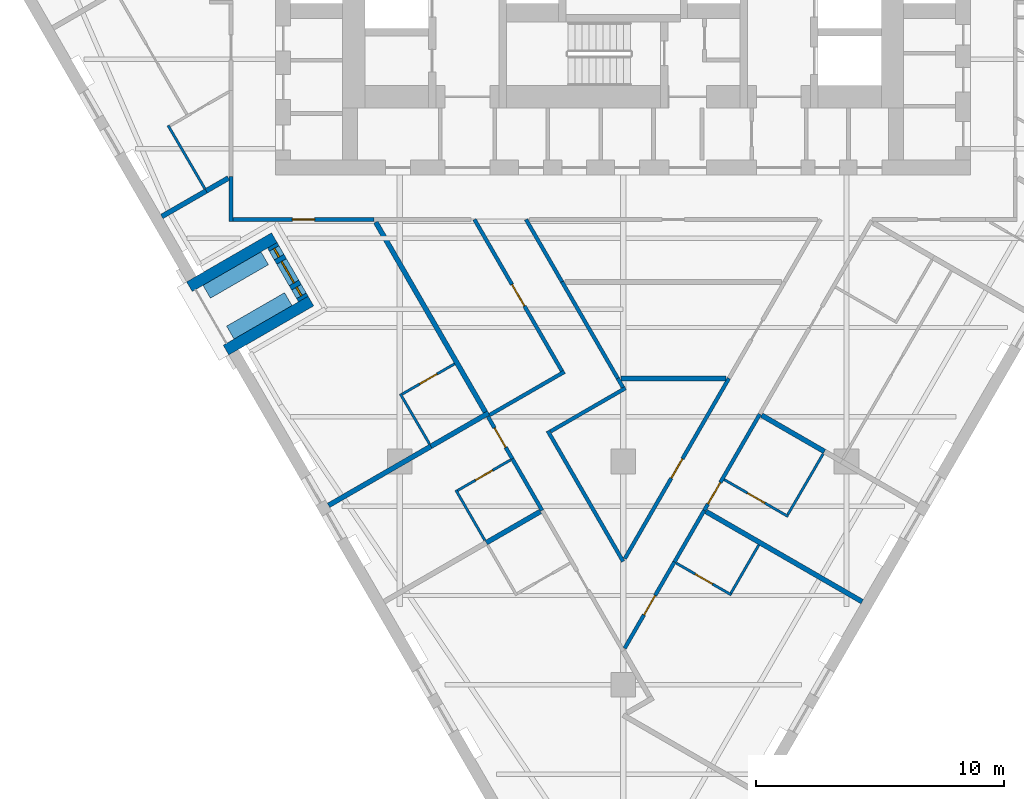
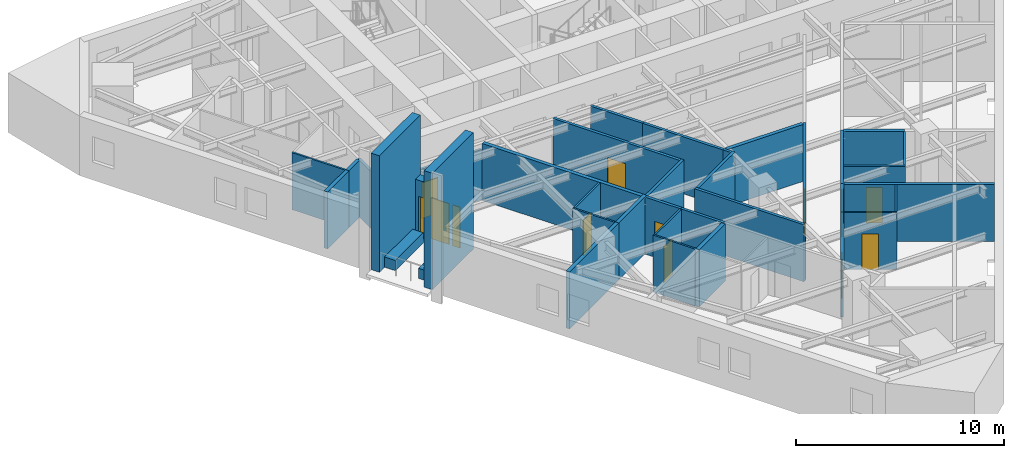
# One storey, part 3 of 9: 38 walls, 11 doors, 2 windows, 13 openings.
"""IFC4 building model written with IfcOpenShell, lengths in metres."""

from ifc_helpers import new_model, si_unit, direction, frame, frame_2d, origin, place, context, subcontext, project, spatial, rectangle, extrude, material, layer, layer_set, type_object, element, fill, save


model = new_model("IFC4")

# Units and contexts
model_context = context("Model", 3, precision=1e-05, world=origin(), true_north=direction((0.0, 1.0)))
body_context = subcontext(model_context, "Body", "Model", "MODEL_VIEW")
ifc_project = project(units=[si_unit("LENGTHUNIT", "METRE"), si_unit("AREAUNIT", "SQUARE_METRE"), si_unit("VOLUMEUNIT", "CUBIC_METRE"), si_unit("PLANEANGLEUNIT", "RADIAN"), si_unit("MASSUNIT", "GRAM", prefix="KILO")], contexts=[model_context])

# Site, building, storey
site_placement = place(None, origin())
site = spatial("IfcSite", under=ifc_project, at=site_placement, CompositionType="ELEMENT")
building_placement = place(site_placement, origin())
building = spatial("IfcBuilding", under=site, at=building_placement, Name="Aloe Facet Convention Tower", CompositionType="ELEMENT")
storey_placement = place(building_placement, frame((0.0, 0.0, 52.5)))
storey = spatial("IfcBuildingStorey", under=building, at=storey_placement, Name="L11", CompositionType="ELEMENT", Elevation=52.5)

# Walls
ifc_material_1 = material(Name="Precast concrete C40/50", Category="concrete")
ifc_layer_1 = layer(ifc_material_1, 0.60009765625)
ifc_layer_set_1 = layer_set([ifc_layer_1], Name="EV-PLANTER")
wall_type_1 = type_object("IfcWallType", Name="EV-PLANTER", PredefinedType="STANDARD", material=ifc_layer_set_1)
for number, where, z_axis, x_axis, name in (
    (1, (63.218017578125, 114.837890625, 0.0), (0.0, 0.0, 1.0), (0.866059108428, 0.4999416173, 0.0), "PLANTER T02-1"),
    (2, (64.16796875, 113.1923828125, 0.0), (0.0, 0.0, 1.0), (0.866059108428, 0.4999416173, 0.0), "PLANTER T02-2"),
):
    element("IfcWall", number, at=place(storey_placement, frame(where, z_axis=z_axis, x_axis=x_axis)), inside=storey, type_object=wall_type_1, Name=name, PredefinedType="STANDARD", context=body_context, shape_type="SweptSolid", body=[
        extrude(rectangle(XDim=2.699951171875, YDim=0.60009765625, at=frame_2d((1.35009765625, 0.0))), origin(), (0.0, 0.0, 1.0), 0.60009765625),
    ])
ifc_material_2 = material(Name="Precast concrete C40/50", Category="concrete")
ifc_layer_2 = layer(ifc_material_2, 0.449951171875)
ifc_layer_set_2 = layer_set([ifc_layer_2], Name="EV-WALL-STONE")
wall_type_2 = type_object("IfcWallType", Name="EV-WALL-STONE", PredefinedType="SOLIDWALL", material=ifc_layer_set_2)
for number, where, z_axis, x_axis, name in (
    (3, (62.5224609375, 115.04248046875, 0.0), (0.0, 0.0, 1.0), (0.866047669374, 0.499961432884, 0.0), "TW-T02-1"),
    (4, (63.99755859375, 112.487548828125, 0.0), (0.0, 0.0, 1.0), (0.866005453737, 0.500034552904, 0.0), "TW-T02-2"),
):
    element("IfcWall", number, at=place(storey_placement, frame(where, z_axis=z_axis, x_axis=x_axis)), inside=storey, type_object=wall_type_2, Name=name, PredefinedType="SOLIDWALL", context=body_context, shape_type="SweptSolid", body=[
        extrude(rectangle(XDim=3.949951171875, YDim=0.449951171875, at=frame_2d((1.97509765625, 0.0))), origin(), (0.0, 0.0, 1.0), 6.85009765625),
    ])

# Wall, openings, door, windows
wall_1_placement = place(storey_placement, frame((65.86083984375, 116.710205078125, -0.14990234375), z_axis=(0.0, 0.0, 1.0), x_axis=(0.499961950354, -0.866047370643, 0.0)))
wall_1 = element("IfcWall", 5, at=wall_1_placement, inside=storey, type_object=wall_type_2, Name="TB-T02-L11", PredefinedType="SOLIDWALL", context=body_context, shape_type="SweptSolid", body=[
    extrude(rectangle(XDim=2.500244140625, YDim=0.449951171875, at=frame_2d((1.25, 0.0))), origin(), (0.0, 0.0, 1.0), 3.5),
])
opening_1_placement = place(wall_1_placement, frame((0.75, 0.0, 0.14990234375)))
opening_1 = element("IfcOpeningElement", 6, at=opening_1_placement, cuts=wall_1, Name="Opening D-T02", PredefinedType="OPENING", context=body_context, shape_type="SweptSolid", body=[
    extrude(rectangle(XDim=1.0, YDim=2.39990234375, at=frame_2d((0.5, 1.199951171875))), frame((0.0, 0.23486328125, 0.0), z_axis=(0.0, -1.0, 0.0), x_axis=(1.0, 0.0, 0.0)), (0.0, 0.0, 1.0), 0.469970703125),
])
opening_2_placement = place(wall_1_placement, frame((0.14990234375, 0.0, 0.14990234375)))
opening_2 = element("IfcOpeningElement", 7, at=opening_2_placement, cuts=wall_1, Name="Opening G-T02-1", PredefinedType="OPENING", context=body_context, shape_type="SweptSolid", body=[
    extrude(rectangle(XDim=0.39990234375, YDim=2.39990234375, at=frame_2d((0.199951171875, 1.199951171875))), frame((0.0, 0.23486328125, 0.0), z_axis=(0.0, -1.0, 0.0), x_axis=(1.0, 0.0, 0.0)), (0.0, 0.0, 1.0), 0.469970703125),
])
opening_3_placement = place(wall_1_placement, frame((1.949951171875, 0.0, 0.14990234375)))
opening_3 = element("IfcOpeningElement", 8, at=opening_3_placement, cuts=wall_1, Name="Opening G-T02-2", PredefinedType="OPENING", context=body_context, shape_type="SweptSolid", body=[
    extrude(rectangle(XDim=0.39990234375, YDim=2.39990234375, at=frame_2d((0.199951171875, 1.199951171875))), frame((0.0, 0.23486328125, 0.0), z_axis=(0.0, -1.0, 0.0), x_axis=(1.0, 0.0, 0.0)), (0.0, 0.0, 1.0), 0.469970703125),
])
ifc_material_3 = material(Name="Aluminium frame, clear double glazing", Category="aluminium")
door_type_1 = type_object("IfcDoorType", Name="EV-DOOR-TERR", OperationType="SINGLE_SWING_LEFT", PredefinedType="DOOR", material=ifc_material_3)
door_1_placement = place(opening_1_placement, origin())
door_1 = element("IfcDoor", 9, at=door_1_placement, inside=storey, type_object=door_type_1, Name="D-T02", OperationType="SINGLE_SWING_LEFT", OverallHeight=2.39990234375, OverallWidth=1.0, PredefinedType="DOOR", context=body_context, shape_type="SweptSolid", body=[
    extrude(rectangle(XDim=1.0, YDim=2.39990234375, at=frame_2d((0.5, 1.199951171875))), frame((0.0, 0.02490234375, 0.0), z_axis=(0.0, -1.0, 0.0), x_axis=(1.0, 0.0, 0.0)), (0.0, 0.0, 1.0), 0.050048828125),
])
fill(opening_1, door_1)
ifc_material_4 = material(Name="Aluminium frame, clear double glazing", Category="aluminium")
window_type = type_object("IfcWindowType", Name="EV-WIN-SL40", PartitioningType="SINGLE_PANEL", PredefinedType="WINDOW", material=ifc_material_4)
window_1_placement = place(opening_2_placement, origin())
window_1 = element("IfcWindow", 10, at=window_1_placement, inside=storey, type_object=window_type, Name="G-T02-1", OverallHeight=2.39990234375, OverallWidth=0.39990234375, PartitioningType="SINGLE_PANEL", PredefinedType="WINDOW", context=body_context, shape_type="SweptSolid", body=[
    extrude(rectangle(XDim=0.39990234375, YDim=2.39990234375, at=frame_2d((0.199951171875, 1.199951171875))), frame((0.0, 0.030029296875, 0.0), z_axis=(0.0, -1.0, 0.0), x_axis=(1.0, 0.0, 0.0)), (0.0, 0.0, 1.0), 0.06005859375),
])
fill(opening_2, window_1)
window_2_placement = place(opening_3_placement, origin())
window_2 = element("IfcWindow", 11, at=window_2_placement, inside=storey, type_object=window_type, Name="G-T02-2", OverallHeight=2.39990234375, OverallWidth=0.39990234375, PartitioningType="SINGLE_PANEL", PredefinedType="WINDOW", context=body_context, shape_type="SweptSolid", body=[
    extrude(rectangle(XDim=0.39990234375, YDim=2.39990234375, at=frame_2d((0.199951171875, 1.199951171875))), frame((0.0, 0.030029296875, 0.0), z_axis=(0.0, -1.0, 0.0), x_axis=(1.0, 0.0, 0.0)), (0.0, 0.0, 1.0), 0.06005859375),
])
fill(opening_3, window_2)

# Wall
ifc_material_5 = material(Name="Gypsum board partition on steel studs", Category="steel")
ifc_layer_3 = layer(ifc_material_5, 0.14990234375)
ifc_layer_set_3 = layer_set([ifc_layer_3], Name="IN-W-CORR")
wall_type_3 = type_object("IfcWallType", Name="IN-W-CORR", PredefinedType="PARTITIONING", material=ifc_layer_set_3)
wall_2_placement = place(storey_placement, frame((82.06494140625, 103.947265625, 0.0), z_axis=(0.0, 0.0, 1.0), x_axis=(0.500001309137, 0.866024647952, 0.0)))
element("IfcWall", 12, at=wall_2_placement, inside=storey, type_object=wall_type_3, Name="Partition L11-W010", PredefinedType="PARTITIONING", context=body_context, shape_type="SweptSolid", body=[
    extrude(rectangle(XDim=2.39990234375, YDim=0.14990234375, at=frame_2d((1.199951171875, 0.0))), origin(), (0.0, 0.0, 1.0), 3.35009765625),
])

# Wall, opening, door
wall_3_placement = place(storey_placement, frame((80.06005859375, 100.474365234375, 0.0), z_axis=(0.0, 0.0, 1.0), x_axis=(0.499963124258, 0.866046692957, 0.0)))
wall_3 = element("IfcWall", 13, at=wall_3_placement, inside=storey, type_object=wall_type_3, Name="Partition L11-W011", PredefinedType="PARTITIONING", context=body_context, shape_type="SweptSolid", body=[
    extrude(rectangle(XDim=4.010009765625, YDim=0.14990234375, at=frame_2d((2.0048828125, 0.0))), origin(), (0.0, 0.0, 1.0), 3.35009765625),
])
opening_4_placement = place(wall_3_placement, frame((1.554931640625, 0.0, 0.0)))
opening_4 = element("IfcOpeningElement", 14, at=opening_4_placement, cuts=wall_3, Name="Opening L11-006", PredefinedType="OPENING", context=body_context, shape_type="SweptSolid", body=[
    extrude(rectangle(XDim=0.89990234375, YDim=2.10009765625, at=frame_2d((0.449951171875, 1.050048828125))), frame((0.0, 0.0849609375, 0.0), z_axis=(0.0, -1.0, 0.0), x_axis=(1.0, 0.0, 0.0)), (0.0, 0.0, 1.0), 0.169921875),
])
ifc_material_6 = material(Name="Hardwood flush door FD30S", Category="wood")
door_type_2 = type_object("IfcDoorType", Name="IN-D-GUEST", OperationType="SINGLE_SWING_LEFT", PredefinedType="DOOR", material=ifc_material_6)
door_2_placement = place(opening_4_placement, origin())
door_2 = element("IfcDoor", 15, at=door_2_placement, inside=storey, type_object=door_type_2, Name="Door L11-006", OperationType="SINGLE_SWING_LEFT", OverallHeight=2.10009765625, OverallWidth=0.89990234375, PredefinedType="DOOR", context=body_context, shape_type="SweptSolid", body=[
    extrude(rectangle(XDim=0.89990234375, YDim=2.10009765625, at=frame_2d((0.449951171875, 1.050048828125))), frame((0.0, 0.02490234375, 0.0), z_axis=(0.0, -1.0, 0.0), x_axis=(1.0, 0.0, 0.0)), (0.0, 0.0, 1.0), 0.050048828125),
])
fill(opening_4, door_2)

wall_4_placement = place(storey_placement, frame((74.547607421875, 109.814453125, 0.0), z_axis=(0.0, 0.0, 1.0), x_axis=(0.499968599967, -0.866043531843, 0.0)))
wall_4 = element("IfcWall", 16, at=wall_4_placement, inside=storey, type_object=wall_type_3, Name="Partition L11-W026", PredefinedType="PARTITIONING", context=body_context, shape_type="SweptSolid", body=[
    extrude(rectangle(XDim=1.974853515625, YDim=0.14990234375, at=frame_2d((0.9873046875, 0.0))), origin(), (0.0, 0.0, 1.0), 3.35009765625),
])
opening_5_placement = place(wall_4_placement, frame((0.53759765625, 0.0, 0.0)))
opening_5 = element("IfcOpeningElement", 17, at=opening_5_placement, cuts=wall_4, Name="Opening L11-004", PredefinedType="OPENING", context=body_context, shape_type="SweptSolid", body=[
    extrude(rectangle(XDim=0.89990234375, YDim=2.10009765625, at=frame_2d((0.449951171875, 1.050048828125))), frame((0.0, 0.0849609375, 0.0), z_axis=(0.0, -1.0, 0.0), x_axis=(1.0, 0.0, 0.0)), (0.0, 0.0, 1.0), 0.169921875),
])
door_3_placement = place(opening_5_placement, origin())
door_3 = element("IfcDoor", 18, at=door_3_placement, inside=storey, type_object=door_type_2, Name="Door L11-004", OperationType="SINGLE_SWING_LEFT", OverallHeight=2.10009765625, OverallWidth=0.89990234375, PredefinedType="DOOR", context=body_context, shape_type="SweptSolid", body=[
    extrude(rectangle(XDim=0.89990234375, YDim=2.10009765625, at=frame_2d((0.449951171875, 1.050048828125))), frame((0.0, 0.02490234375, 0.0), z_axis=(0.0, -1.0, 0.0), x_axis=(1.0, 0.0, 0.0)), (0.0, 0.0, 1.0), 0.050048828125),
])
fill(opening_5, door_3)

# Walls
wall_5_placement = place(storey_placement, frame((75.534912109375, 108.104248046875, 0.0), z_axis=(0.0, 0.0, 1.0), x_axis=(0.500033551112, -0.866006032174, 0.0)))
element("IfcWall", 19, at=wall_5_placement, inside=storey, type_object=wall_type_3, Name="Partition L11-W027", PredefinedType="PARTITIONING", context=body_context, shape_type="SweptSolid", body=[
    extrude(rectangle(XDim=2.400146484375, YDim=0.14990234375, at=frame_2d((1.2001953125, 0.0))), origin(), (0.0, 0.0, 1.0), 3.35009765625),
])
wall_6_placement = place(storey_placement, frame((76.96142578125, 109.233642578125, 0.0), z_axis=(0.0, 0.0, 1.0), x_axis=(0.499984420002, -0.866034398714, 0.0)))
element("IfcWall", 20, at=wall_6_placement, inside=storey, type_object=wall_type_3, Name="Partition L11-W031", PredefinedType="PARTITIONING", context=body_context, shape_type="SweptSolid", body=[
    extrude(rectangle(XDim=6.077392578125, YDim=0.14990234375, at=frame_2d((3.03857421875, 0.0))), origin(), (0.0, 0.0, 1.0), 3.35009765625),
])
wall_7_placement = place(storey_placement, frame((74.613525390625, 109.8701171875, 0.0), z_axis=(0.0, 0.0, 1.0), x_axis=(0.866043466982, 0.49996871232, 0.0)))
element("IfcWall", 21, at=wall_7_placement, inside=storey, type_object=wall_type_3, Name="Partition L11-W033", PredefinedType="PARTITIONING", context=body_context, shape_type="SweptSolid", body=[
    extrude(rectangle(XDim=3.489990234375, YDim=0.14990234375, at=frame_2d((1.7451171875, 0.0))), origin(), (0.0, 0.0, 1.0), 3.35009765625),
])

# Wall, opening, door
wall_8_placement = place(storey_placement, frame((83.264892578125, 106.025634765625, 0.0), z_axis=(0.0, 0.0, 1.0), x_axis=(0.499989762656, 0.866031314237, 0.0)))
wall_8 = element("IfcWall", 22, at=wall_8_placement, inside=storey, type_object=wall_type_3, Name="Partition L11-W036", PredefinedType="PARTITIONING", context=body_context, shape_type="SweptSolid", body=[
    extrude(rectangle(XDim=4.47998046875, YDim=0.14990234375, at=frame_2d((2.239990234375, 0.0))), origin(), (0.0, 0.0, 1.0), 3.35009765625),
])
opening_6_placement = place(wall_8_placement, frame((0.300048828125, 0.0, 0.0)))
opening_6 = element("IfcOpeningElement", 23, at=opening_6_placement, cuts=wall_8, Name="Opening L11-007", PredefinedType="OPENING", context=body_context, shape_type="SweptSolid", body=[
    extrude(rectangle(XDim=1.0, YDim=2.10009765625, at=frame_2d((0.5, 1.050048828125))), frame((0.0, 0.0849609375, 0.0), z_axis=(0.0, -1.0, 0.0), x_axis=(1.0, 0.0, 0.0)), (0.0, 0.0, 1.0), 0.169921875),
])
ifc_material_7 = material(Name="Hardwood flush door FD30S", Category="wood")
door_type_3 = type_object("IfcDoorType", Name="IN-D-WIDE", OperationType="SINGLE_SWING_LEFT", PredefinedType="DOOR", material=ifc_material_7)
door_4_placement = place(opening_6_placement, origin())
door_4 = element("IfcDoor", 24, at=door_4_placement, inside=storey, type_object=door_type_3, Name="Door L11-007", OperationType="SINGLE_SWING_LEFT", OverallHeight=2.10009765625, OverallWidth=1.0, PredefinedType="DOOR", context=body_context, shape_type="SweptSolid", body=[
    extrude(rectangle(XDim=1.0, YDim=2.10009765625, at=frame_2d((0.5, 1.050048828125))), frame((0.0, 0.02490234375, 0.0), z_axis=(0.0, -1.0, 0.0), x_axis=(1.0, 0.0, 0.0)), (0.0, 0.0, 1.0), 0.050048828125),
])
fill(opening_6, door_4)

# Walls
wall_9_placement = place(storey_placement, frame((77.072509765625, 109.211181640625, 0.0), z_axis=(0.0, 0.0, 1.0), x_axis=(0.866013176292, 0.50002117804, 0.0)))
element("IfcWall", 25, at=wall_9_placement, inside=storey, type_object=wall_type_3, Name="Partition L11-W039", PredefinedType="PARTITIONING", context=body_context, shape_type="SweptSolid", body=[
    extrude(rectangle(XDim=3.489990234375, YDim=0.14990234375, at=frame_2d((1.7451171875, 0.0))), origin(), (0.0, 0.0, 1.0), 3.35009765625),
])
wall_10_placement = place(storey_placement, frame((79.781005859375, 111.35009765625, 0.0), z_axis=(0.0, 0.0, 1.0), x_axis=(0.499739105689, -0.866175978797, 0.0)))
element("IfcWall", 26, at=wall_10_placement, inside=storey, type_object=wall_type_3, Name="Partition L11-W040", PredefinedType="PARTITIONING", context=body_context, shape_type="SweptSolid", body=[
    extrude(rectangle(XDim=0.423095703125, YDim=0.14990234375, at=frame_2d((0.21142578125, 0.0))), origin(), (0.0, 0.0, 1.0), 3.35009765625),
])

# Wall, opening, door
wall_11_placement = place(storey_placement, frame((80.06494140625, 104.0830078125, 0.0), z_axis=(0.0, 0.0, 1.0), x_axis=(0.49999109456, 0.866030545282, 0.0)))
wall_11 = element("IfcWall", 27, at=wall_11_placement, inside=storey, type_object=wall_type_3, Name="Partition L11-W041", PredefinedType="PARTITIONING", context=body_context, shape_type="SweptSolid", body=[
    extrude(rectangle(XDim=8.391357421875, YDim=0.14990234375, at=frame_2d((4.19580078125, 0.0))), origin(), (0.0, 0.0, 1.0), 3.35009765625),
])
opening_7_placement = place(wall_11_placement, frame((3.74560546875, 0.0, 0.0)))
opening_7 = element("IfcOpeningElement", 28, at=opening_7_placement, cuts=wall_11, Name="Opening L11-011", PredefinedType="OPENING", context=body_context, shape_type="SweptSolid", body=[
    extrude(rectangle(XDim=0.89990234375, YDim=2.10009765625, at=frame_2d((0.449951171875, 1.050048828125))), frame((0.0, 0.0849609375, 0.0), z_axis=(0.0, -1.0, 0.0), x_axis=(1.0, 0.0, 0.0)), (0.0, 0.0, 1.0), 0.169921875),
])
door_5_placement = place(opening_7_placement, origin())
door_5 = element("IfcDoor", 29, at=door_5_placement, inside=storey, type_object=door_type_2, Name="Door L11-011", OperationType="SINGLE_SWING_LEFT", OverallHeight=2.10009765625, OverallWidth=0.89990234375, PredefinedType="DOOR", context=body_context, shape_type="SweptSolid", body=[
    extrude(rectangle(XDim=0.89990234375, YDim=2.10009765625, at=frame_2d((0.449951171875, 1.050048828125))), frame((0.0, 0.02490234375, 0.0), z_axis=(0.0, -1.0, 0.0), x_axis=(1.0, 0.0, 0.0)), (0.0, 0.0, 1.0), 0.050048828125),
])
fill(opening_7, door_5)

wall_12_placement = place(storey_placement, frame((74.00732421875, 117.75, 0.0), z_axis=(0.0, 0.0, 1.0), x_axis=(0.500026110575, -0.866010328312, 0.0)))
wall_12 = element("IfcWall", 30, at=wall_12_placement, inside=storey, type_object=wall_type_3, Name="Partition L11-W044", PredefinedType="PARTITIONING", context=body_context, shape_type="SweptSolid", body=[
    extrude(rectangle(XDim=7.05224609375, YDim=0.14990234375, at=frame_2d((3.526123046875, 0.0))), origin(), (0.0, 0.0, 1.0), 3.35009765625),
])
opening_8_placement = place(wall_12_placement, frame((3.026123046875, 0.0, 0.0)))
opening_8 = element("IfcOpeningElement", 31, at=opening_8_placement, cuts=wall_12, Name="Opening L11-010", PredefinedType="OPENING", context=body_context, shape_type="SweptSolid", body=[
    extrude(rectangle(XDim=1.0, YDim=2.10009765625, at=frame_2d((0.5, 1.050048828125))), frame((0.0, 0.0849609375, 0.0), z_axis=(0.0, -1.0, 0.0), x_axis=(1.0, 0.0, 0.0)), (0.0, 0.0, 1.0), 0.169921875),
])
door_6_placement = place(opening_8_placement, origin())
door_6 = element("IfcDoor", 32, at=door_6_placement, inside=storey, type_object=door_type_3, Name="Door L11-010", OperationType="SINGLE_SWING_LEFT", OverallHeight=2.10009765625, OverallWidth=1.0, PredefinedType="DOOR", context=body_context, shape_type="SweptSolid", body=[
    extrude(rectangle(XDim=1.0, YDim=2.10009765625, at=frame_2d((0.5, 1.050048828125))), frame((0.0, 0.02490234375, 0.0), z_axis=(0.0, -1.0, 0.0), x_axis=(1.0, 0.0, 0.0)), (0.0, 0.0, 1.0), 0.050048828125),
])
fill(opening_8, door_6)

# Walls
wall_13_placement = place(storey_placement, frame((77.534912109375, 115.239990234375, 0.0), z_axis=(0.0, 0.0, 1.0), x_axis=(0.500043949999, -0.866000027754, 0.0)))
element("IfcWall", 33, at=wall_13_placement, inside=storey, type_object=wall_type_3, Name="Partition L11-W052", PredefinedType="PARTITIONING", context=body_context, shape_type="SweptSolid", body=[
    extrude(rectangle(XDim=4.49169921875, YDim=0.14990234375, at=frame_2d((2.245849609375, 0.0))), origin(), (0.0, 0.0, 1.0), 3.35009765625),
])
wall_14_placement = place(storey_placement, frame((64.199951171875, 117.675048828125, 0.0), z_axis=(0.0, 0.0, 1.0), x_axis=(0.0, 1.0, 0.0)))
element("IfcWall", 34, at=wall_14_placement, inside=storey, type_object=wall_type_3, Name="Partition L11-W062", PredefinedType="PARTITIONING", context=body_context, shape_type="SweptSolid", body=[
    extrude(rectangle(XDim=1.8056640625, YDim=0.14990234375, at=frame_2d((0.90283203125, 0.0))), origin(), (0.0, 0.0, 1.0), 3.35009765625),
])

# Wall, opening, door
wall_15_placement = place(storey_placement, frame((64.27490234375, 117.75, 0.0), z_axis=(0.0, 0.0, 1.0), x_axis=(1.0, 0.0, 0.0)))
wall_15 = element("IfcWall", 35, at=wall_15_placement, inside=storey, type_object=wall_type_3, Name="Partition L11-W063", PredefinedType="PARTITIONING", context=body_context, shape_type="SweptSolid", body=[
    extrude(rectangle(XDim=5.691162109375, YDim=0.14990234375, at=frame_2d((2.845703125, 0.0))), origin(), (0.0, 0.0, 1.0), 2.9375),
])
opening_9_placement = place(wall_15_placement, frame((2.3955078125, 0.0, 0.0)))
opening_9 = element("IfcOpeningElement", 36, at=opening_9_placement, cuts=wall_15, Name="Opening L11-003", PredefinedType="OPENING", context=body_context, shape_type="SweptSolid", body=[
    extrude(rectangle(XDim=0.89990234375, YDim=2.10009765625, at=frame_2d((0.449951171875, 1.050048828125))), frame((0.0, 0.0849609375, 0.0), z_axis=(0.0, -1.0, 0.0), x_axis=(1.0, 0.0, 0.0)), (0.0, 0.0, 1.0), 0.169921875),
])
door_7_placement = place(opening_9_placement, origin())
door_7 = element("IfcDoor", 37, at=door_7_placement, inside=storey, type_object=door_type_2, Name="Door L11-003", OperationType="SINGLE_SWING_LEFT", OverallHeight=2.10009765625, OverallWidth=0.89990234375, PredefinedType="DOOR", context=body_context, shape_type="SweptSolid", body=[
    extrude(rectangle(XDim=0.89990234375, YDim=2.10009765625, at=frame_2d((0.449951171875, 1.050048828125))), frame((0.0, 0.02490234375, 0.0), z_axis=(0.0, -1.0, 0.0), x_axis=(1.0, 0.0, 0.0)), (0.0, 0.0, 1.0), 0.050048828125),
])
fill(opening_9, door_7)

# Wall
wall_16_placement = place(storey_placement, frame((76.0859375, 117.75, 0.0), z_axis=(0.0, 0.0, 1.0), x_axis=(0.499953366038, -0.866052326241, 0.0)))
element("IfcWall", 38, at=wall_16_placement, inside=storey, type_object=wall_type_3, Name="Partition L11-W065", PredefinedType="PARTITIONING", context=body_context, shape_type="SweptSolid", body=[
    extrude(rectangle(XDim=2.898193359375, YDim=0.14990234375, at=frame_2d((1.44921875, 0.0))), origin(), (0.0, 0.0, 1.0), 3.35009765625),
])

# Wall, opening, door
ifc_material_8 = material(Name="Gypsum board partition on steel studs", Category="steel")
ifc_layer_4 = layer(ifc_material_8, 0.10009765625)
ifc_layer_set_4 = layer_set([ifc_layer_4], Name="IN-W-PART")
wall_type_4 = type_object("IfcWallType", Name="IN-W-PART", PredefinedType="PARTITIONING", material=ifc_layer_set_4)
wall_17_placement = place(storey_placement, frame((82.138671875, 103.90478515625, 0.0), z_axis=(0.0, 0.0, 1.0), x_axis=(0.866014388206, -0.500019079056, 0.0)))
wall_17 = element("IfcWall", 39, at=wall_17_placement, inside=storey, type_object=wall_type_4, Name="Partition L11-W008", PredefinedType="PARTITIONING", context=body_context, shape_type="SweptSolid", body=[
    extrude(rectangle(XDim=2.56494140625, YDim=0.10009765625, at=frame_2d((1.282470703125, 0.0))), origin(), (0.0, 0.0, 1.0), 3.35009765625),
])
opening_10_placement = place(wall_17_placement, frame((0.882568359375, 0.0, 0.0)))
opening_10 = element("IfcOpeningElement", 40, at=opening_10_placement, cuts=wall_17, Name="Opening L11-023", PredefinedType="OPENING", context=body_context, shape_type="SweptSolid", body=[
    extrude(rectangle(XDim=0.800048828125, YDim=2.10009765625, at=frame_2d((0.39990234375, 1.050048828125))), frame((0.0, 0.06005859375, 0.0), z_axis=(0.0, -1.0, 0.0), x_axis=(1.0, 0.0, 0.0)), (0.0, 0.0, 1.0), 0.1201171875),
])
ifc_material_9 = material(Name="Timber flush door", Category="wood")
door_type_4 = type_object("IfcDoorType", Name="IN-D-BATH", OperationType="SINGLE_SWING_LEFT", PredefinedType="DOOR", material=ifc_material_9)
door_8_placement = place(opening_10_placement, origin())
door_8 = element("IfcDoor", 41, at=door_8_placement, inside=storey, type_object=door_type_4, Name="Door L11-023", OperationType="SINGLE_SWING_LEFT", OverallHeight=2.10009765625, OverallWidth=0.800048828125, PredefinedType="DOOR", context=body_context, shape_type="SweptSolid", body=[
    extrude(rectangle(XDim=0.800048828125, YDim=2.10009765625, at=frame_2d((0.39990234375, 1.050048828125))), frame((0.0, 0.02490234375, 0.0), z_axis=(0.0, -1.0, 0.0), x_axis=(1.0, 0.0, 0.0)), (0.0, 0.0, 1.0), 0.050048828125),
])
fill(opening_10, door_8)

# Walls
wall_18_placement = place(storey_placement, frame((73.25830078125, 106.847412109375, 0.0), z_axis=(0.0, 0.0, 1.0), x_axis=(0.499999433879, -0.866025730634, 0.0)))
element("IfcWall", 42, at=wall_18_placement, inside=storey, type_object=wall_type_4, Name="Partition L11-W012", PredefinedType="PARTITIONING", context=body_context, shape_type="SweptSolid", body=[
    extrude(rectangle(XDim=2.33984375, YDim=0.10009765625, at=frame_2d((1.169921875, 0.0))), origin(), (0.0, 0.0, 1.0), 3.35009765625),
])
wall_19_placement = place(storey_placement, frame((84.341552734375, 102.6904296875, 0.0), z_axis=(0.0, 0.0, 1.0), x_axis=(0.499966648284, 0.866044658551, 0.0)))
element("IfcWall", 43, at=wall_19_placement, inside=storey, type_object=wall_type_4, Name="Partition L11-W013", PredefinedType="PARTITIONING", context=body_context, shape_type="SweptSolid", body=[
    extrude(rectangle(XDim=2.250244140625, YDim=0.10009765625, at=frame_2d((1.125, 0.0))), origin(), (0.0, 0.0, 1.0), 3.35009765625),
])

# Wall, opening, door
wall_20_placement = place(storey_placement, frame((84.070068359375, 107.269775390625, 0.0), z_axis=(0.0, 0.0, 1.0), x_axis=(0.866053027861, -0.499952150643, 0.0)))
wall_20 = element("IfcWall", 44, at=wall_20_placement, inside=storey, type_object=wall_type_4, Name="Partition L11-W014", PredefinedType="PARTITIONING", context=body_context, shape_type="SweptSolid", body=[
    extrude(rectangle(XDim=2.974853515625, YDim=0.10009765625, at=frame_2d((1.4873046875, 0.0))), origin(), (0.0, 0.0, 1.0), 3.35009765625),
])
opening_11_placement = place(wall_20_placement, frame((1.08740234375, 0.0, 0.0)))
opening_11 = element("IfcOpeningElement", 45, at=opening_11_placement, cuts=wall_20, Name="Opening L11-024", PredefinedType="OPENING", context=body_context, shape_type="SweptSolid", body=[
    extrude(rectangle(XDim=0.800048828125, YDim=2.10009765625, at=frame_2d((0.39990234375, 1.050048828125))), frame((0.0, 0.06005859375, 0.0), z_axis=(0.0, -1.0, 0.0), x_axis=(1.0, 0.0, 0.0)), (0.0, 0.0, 1.0), 0.1201171875),
])
door_9_placement = place(opening_11_placement, origin())
door_9 = element("IfcDoor", 46, at=door_9_placement, inside=storey, type_object=door_type_4, Name="Door L11-024", OperationType="SINGLE_SWING_LEFT", OverallHeight=2.10009765625, OverallWidth=0.800048828125, PredefinedType="DOOR", context=body_context, shape_type="SweptSolid", body=[
    extrude(rectangle(XDim=0.800048828125, YDim=2.10009765625, at=frame_2d((0.39990234375, 1.050048828125))), frame((0.0, 0.02490234375, 0.0), z_axis=(0.0, -1.0, 0.0), x_axis=(1.0, 0.0, 0.0)), (0.0, 0.0, 1.0), 0.050048828125),
])
fill(opening_11, door_9)

wall_21_placement = place(storey_placement, frame((73.32666015625, 106.8291015625, 0.0), z_axis=(0.0, 0.0, 1.0), x_axis=(0.866040446274, 0.499973944738, 0.0)))
wall_21 = element("IfcWall", 47, at=wall_21_placement, inside=storey, type_object=wall_type_4, Name="Partition L11-W022", PredefinedType="PARTITIONING", context=body_context, shape_type="SweptSolid", body=[
    extrude(rectangle(XDim=2.465087890625, YDim=0.10009765625, at=frame_2d((1.232421875, 0.0))), origin(), (0.0, 0.0, 1.0), 3.35009765625),
])
opening_12_placement = place(wall_21_placement, frame((0.83251953125, 0.0, 0.0)))
opening_12 = element("IfcOpeningElement", 48, at=opening_12_placement, cuts=wall_21, Name="Opening L11-021", PredefinedType="OPENING", context=body_context, shape_type="SweptSolid", body=[
    extrude(rectangle(XDim=0.800048828125, YDim=2.10009765625, at=frame_2d((0.39990234375, 1.050048828125))), frame((0.0, 0.06005859375, 0.0), z_axis=(0.0, -1.0, 0.0), x_axis=(1.0, 0.0, 0.0)), (0.0, 0.0, 1.0), 0.1201171875),
])
door_10_placement = place(opening_12_placement, origin())
door_10 = element("IfcDoor", 49, at=door_10_placement, inside=storey, type_object=door_type_4, Name="Door L11-021", OperationType="SINGLE_SWING_LEFT", OverallHeight=2.10009765625, OverallWidth=0.800048828125, PredefinedType="DOOR", context=body_context, shape_type="SweptSolid", body=[
    extrude(rectangle(XDim=0.800048828125, YDim=2.10009765625, at=frame_2d((0.39990234375, 1.050048828125))), frame((0.0, 0.02490234375, 0.0), z_axis=(0.0, -1.0, 0.0), x_axis=(1.0, 0.0, 0.0)), (0.0, 0.0, 1.0), 0.050048828125),
])
fill(opening_12, door_10)

# Walls
wall_22_placement = place(storey_placement, frame((86.63330078125, 105.859375, 0.0), z_axis=(0.0, 0.0, 1.0), x_axis=(0.502878343763, 0.864357201263, 0.0)))
element("IfcWall", 50, at=wall_22_placement, inside=storey, type_object=wall_type_4, Name="Partition L11-W029", PredefinedType="PARTITIONING", context=body_context, shape_type="SweptSolid", body=[
    extrude(rectangle(XDim=2.829833984375, YDim=0.10009765625, at=frame_2d((1.4150390625, 0.0))), origin(), (0.0, 0.0, 1.0), 3.35009765625),
])
wall_23_placement = place(storey_placement, frame((71.01806640625, 110.72705078125, 0.0), z_axis=(0.0, 0.0, 1.0), x_axis=(0.503637463939, -0.863915102841, 0.0)))
element("IfcWall", 51, at=wall_23_placement, inside=storey, type_object=wall_type_4, Name="Partition L11-W030", PredefinedType="PARTITIONING", context=body_context, shape_type="SweptSolid", body=[
    extrude(rectangle(XDim=2.33984375, YDim=0.10009765625, at=frame_2d((1.169921875, 0.0))), origin(), (0.0, 0.0, 1.0), 3.35009765625),
])

# Wall, opening, door
wall_24_placement = place(storey_placement, frame((71.09521484375, 110.7138671875, 0.0), z_axis=(0.0, 0.0, 1.0), x_axis=(0.866048967903, 0.499959183527, 0.0)))
wall_24 = element("IfcWall", 52, at=wall_24_placement, inside=storey, type_object=wall_type_4, Name="Partition L11-W038", PredefinedType="PARTITIONING", context=body_context, shape_type="SweptSolid", body=[
    extrude(rectangle(XDim=2.440185546875, YDim=0.10009765625, at=frame_2d((1.22021484375, 0.0))), origin(), (0.0, 0.0, 1.0), 3.35009765625),
])
opening_13_placement = place(wall_24_placement, frame((0.820068359375, 0.0, 0.0)))
opening_13 = element("IfcOpeningElement", 53, at=opening_13_placement, cuts=wall_24, Name="Opening L11-020", PredefinedType="OPENING", context=body_context, shape_type="SweptSolid", body=[
    extrude(rectangle(XDim=0.800048828125, YDim=2.10009765625, at=frame_2d((0.39990234375, 1.050048828125))), frame((0.0, 0.06005859375, 0.0), z_axis=(0.0, -1.0, 0.0), x_axis=(1.0, 0.0, 0.0)), (0.0, 0.0, 1.0), 0.1201171875),
])
door_11_placement = place(opening_13_placement, origin())
door_11 = element("IfcDoor", 54, at=door_11_placement, inside=storey, type_object=door_type_4, Name="Door L11-020", OperationType="SINGLE_SWING_LEFT", OverallHeight=2.10009765625, OverallWidth=0.800048828125, PredefinedType="DOOR", context=body_context, shape_type="SweptSolid", body=[
    extrude(rectangle(XDim=0.800048828125, YDim=2.10009765625, at=frame_2d((0.39990234375, 1.050048828125))), frame((0.0, 0.02490234375, 0.0), z_axis=(0.0, -1.0, 0.0), x_axis=(1.0, 0.0, 0.0)), (0.0, 0.0, 1.0), 0.050048828125),
])
fill(opening_13, door_11)

# Walls
wall_25_placement = place(storey_placement, frame((61.663330078125, 121.5380859375, 0.0), z_axis=(0.0, 0.0, 1.0), x_axis=(0.502884554521, -0.864353587847, 0.0)))
element("IfcWall", 55, at=wall_25_placement, inside=storey, type_object=wall_type_4, Name="Partition L11-W074", PredefinedType="PARTITIONING", context=body_context, shape_type="SweptSolid", body=[
    extrude(rectangle(XDim=2.940185546875, YDim=0.10009765625, at=frame_2d((1.47021484375, 0.0))), origin(), (0.0, 0.0, 1.0), 3.35009765625),
])
ifc_material_10 = material(Name="Gypsum board partition on steel studs", Category="steel")
ifc_layer_5 = layer(ifc_material_10, 0.199951171875)
ifc_layer_set_5 = layer_set([ifc_layer_5], Name="IN-W-PARTY")
wall_type_5 = type_object("IfcWallType", Name="IN-W-PARTY", PredefinedType="PARTITIONING", material=ifc_layer_set_5)
wall_26_placement = place(storey_placement, frame((83.338623046875, 105.983154296875, 0.0), z_axis=(0.0, 0.0, 1.0), x_axis=(0.866023858256, -0.500002676924, 0.0)))
element("IfcWall", 56, at=wall_26_placement, inside=storey, type_object=wall_type_5, Name="Partition L11-W006", PredefinedType="PARTITIONING", context=body_context, shape_type="SweptSolid", body=[
    extrude(rectangle(XDim=7.26513671875, YDim=0.199951171875, at=frame_2d((3.632568359375, 0.0))), origin(), (0.0, 0.0, 1.0), 3.35009765625),
])
wall_27_placement = place(storey_placement, frame((74.4833984375, 104.7255859375, 0.0), z_axis=(0.0, 0.0, 1.0), x_axis=(0.866006140796, 0.500033362991, 0.0)))
element("IfcWall", 57, at=wall_27_placement, inside=storey, type_object=wall_type_5, Name="Partition L11-W017", PredefinedType="PARTITIONING", context=body_context, shape_type="SweptSolid", body=[
    extrude(rectangle(XDim=2.514892578125, YDim=0.199951171875, at=frame_2d((1.25732421875, 0.0))), origin(), (0.0, 0.0, 1.0), 3.35009765625),
])
wall_28_placement = place(storey_placement, frame((68.129638671875, 106.23046875, 0.0), z_axis=(0.0, 0.0, 1.0), x_axis=(0.866037825118, 0.499978485002, 0.0)))
element("IfcWall", 58, at=wall_28_placement, inside=storey, type_object=wall_type_5, Name="Partition L11-W020", PredefinedType="PARTITIONING", context=body_context, shape_type="SweptSolid", body=[
    extrude(rectangle(XDim=4.760009765625, YDim=0.199951171875, at=frame_2d((2.3798828125, 0.0))), origin(), (0.0, 0.0, 1.0), 3.35009765625),
])
wall_29_placement = place(storey_placement, frame((85.57861328125, 109.863037109375, 0.0), z_axis=(0.0, 0.0, 1.0), x_axis=(0.86601045545, -0.500025890382, 0.0)))
element("IfcWall", 59, at=wall_29_placement, inside=storey, type_object=wall_type_5, Name="Partition L11-W028", PredefinedType="PARTITIONING", context=body_context, shape_type="SweptSolid", body=[
    extrude(rectangle(XDim=2.925048828125, YDim=0.199951171875, at=frame_2d((1.46240234375, 0.0))), origin(), (0.0, 0.0, 1.0), 3.35009765625),
])
wall_30_placement = place(storey_placement, frame((72.251953125, 108.6103515625, 0.0), z_axis=(0.0, 0.0, 1.0), x_axis=(0.865989100438, 0.500062873969, 0.0)))
element("IfcWall", 60, at=wall_30_placement, inside=storey, type_object=wall_type_5, Name="Partition L11-W034", PredefinedType="PARTITIONING", context=body_context, shape_type="SweptSolid", body=[
    extrude(rectangle(XDim=2.690185546875, YDim=0.199951171875, at=frame_2d((1.34521484375, 0.0))), origin(), (0.0, 0.0, 1.0), 3.35009765625),
])
wall_31_placement = place(storey_placement, frame((70.028564453125, 117.641845703125, 0.0), z_axis=(0.0, 0.0, 1.0), x_axis=(0.499997595687, -0.866026791911, 0.0)))
element("IfcWall", 61, at=wall_31_placement, inside=storey, type_object=wall_type_5, Name="Partition L11-W035", PredefinedType="PARTITIONING", context=body_context, shape_type="SweptSolid", body=[
    extrude(rectangle(XDim=8.8330078125, YDim=0.199951171875, at=frame_2d((4.41650390625, 0.0))), origin(), (0.0, 0.0, 1.0), 3.35009765625),
])
wall_32_placement = place(storey_placement, frame((79.906005859375, 111.35009765625, 0.0), z_axis=(0.0, 0.0, 1.0), x_axis=(1.0, 0.0, 0.0)))
element("IfcWall", 62, at=wall_32_placement, inside=storey, type_object=wall_type_5, Name="Partition L11-W042", PredefinedType="PARTITIONING", context=body_context, shape_type="SweptSolid", body=[
    extrude(rectangle(XDim=4.2294921875, YDim=0.199951171875, at=frame_2d((2.11474609375, 0.0))), origin(), (0.0, 0.0, 1.0), 3.35009765625),
])
wall_33_placement = place(storey_placement, frame((61.40966796875, 117.869873046875, 0.0), z_axis=(0.0, 0.0, 1.0), x_axis=(0.86604377311, 0.499968182045, 0.0)))
element("IfcWall", 63, at=wall_33_placement, inside=storey, type_object=wall_type_5, Name="Partition L11-W071", PredefinedType="PARTITIONING", context=body_context, shape_type="SweptSolid", body=[
    extrude(rectangle(XDim=2.064208984375, YDim=0.199951171875, at=frame_2d((1.0322265625, 0.0))), origin(), (0.0, 0.0, 1.0), 3.35009765625),
])
wall_34_placement = place(storey_placement, frame((63.197265625, 118.90185546875, 0.0), z_axis=(0.0, 0.0, 1.0), x_axis=(0.866067506982, 0.499927068031, 0.0)))
element("IfcWall", 64, at=wall_34_placement, inside=storey, type_object=wall_type_5, Name="Partition L11-W075", PredefinedType="PARTITIONING", context=body_context, shape_type="SweptSolid", body=[
    extrude(rectangle(XDim=1.032958984375, YDim=0.199951171875, at=frame_2d((0.5166015625, 0.0))), origin(), (0.0, 0.0, 1.0), 3.35009765625),
])

save(model, "model.ifc")
